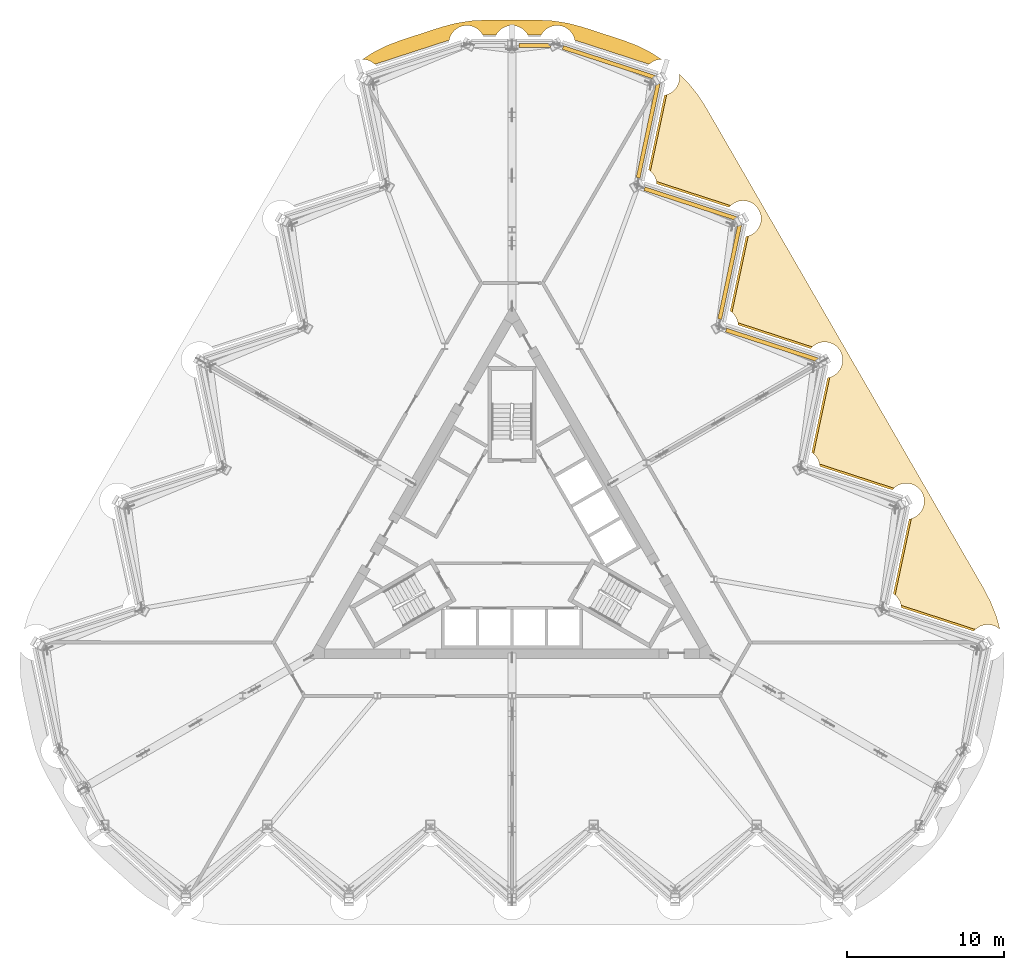
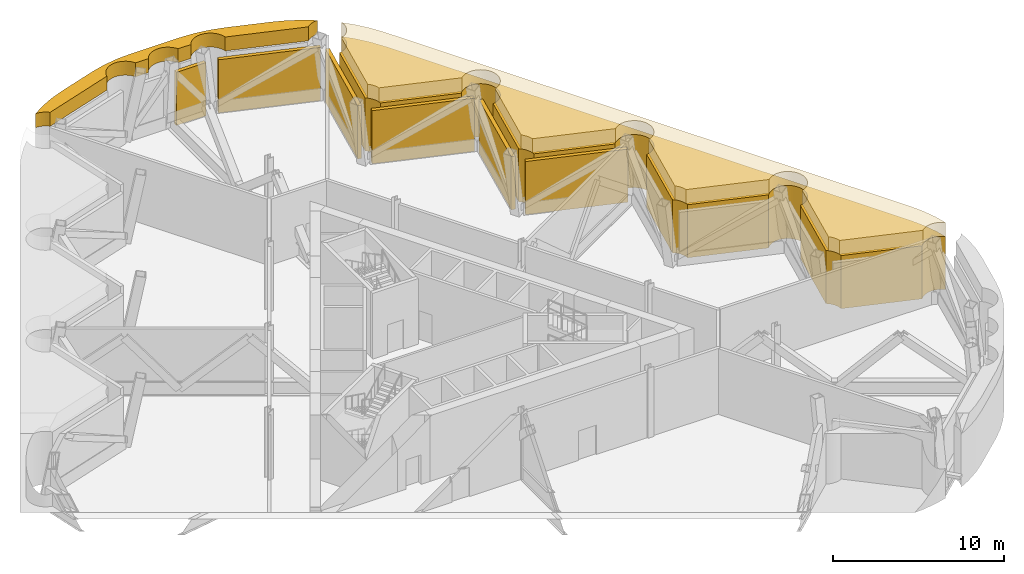
# One storey, part 16 of 16: 6 shading devices, 3 coverings.
"""IFC4 building model written with IfcOpenShell, lengths in metres."""

from ifc_helpers import new_model, si_unit, direction, frame, origin, origin_2d, place, context, subcontext, project, spatial, polyline, rectangle, outline, extrude, material, layer, layer_set, type_object, element, save


model = new_model("IFC4")

# Units and contexts
model_context = context("Model", 3, precision=1e-05, world=origin(), true_north=direction((0.0, 1.0)))
body_context = subcontext(model_context, "Body", "Model", "MODEL_VIEW")
ifc_project = project(units=[si_unit("LENGTHUNIT", "METRE"), si_unit("AREAUNIT", "SQUARE_METRE"), si_unit("VOLUMEUNIT", "CUBIC_METRE"), si_unit("PLANEANGLEUNIT", "RADIAN"), si_unit("MASSUNIT", "GRAM", prefix="KILO")], contexts=[model_context])

# Site, building, storey
site_placement = place(None, origin())
site = spatial("IfcSite", under=ifc_project, at=site_placement, CompositionType="ELEMENT")
building_placement = place(site_placement, origin())
building = spatial("IfcBuilding", under=site, at=building_placement, Name="Cormorant Prow Tower", CompositionType="ELEMENT")
storey_placement = place(building_placement, frame((0.0, 0.0, 356.0)))
storey = spatial("IfcBuildingStorey", under=building, at=storey_placement, Name="L79", CompositionType="ELEMENT", Elevation=356.0)

# Coverings
ifc_material_1 = material(Name="Terracotta", Category="masonry")
ifc_layer_1 = layer(ifc_material_1, 0.449951171875)
ifc_layer_set_1 = layer_set([ifc_layer_1], Name="Terracotta")
covering_type = type_object("IfcCoveringType", Name="Arcade fascia cladding 450", PredefinedType="CLADDING", material=ifc_layer_set_1)
covering_1_placement = place(storey_placement, origin())
element("IfcCovering", 1, at=covering_1_placement, inside=storey, type_object=covering_type, Name="Fascia band L79 part 3", PredefinedType="CLADDING", context=body_context, shape_type="SweptSolid", body=[
    extrude(outline(polyline([(11.24560546875, 29.151611328125), (11.7724609375, 28.5009765625), (11.86474609375, 28.373779296875), (12.32080078125, 27.671630859375), (12.36181640625, 27.604736328125), (21.224609375, 12.25390625), (30.08740234375, -3.0966796875), (30.124755859375, -3.16552734375), (30.5048828125, -3.91162109375), (30.56884765625, -4.05517578125), (30.868896484375, -4.8369140625), (30.91748046875, -4.986083984375), (31.09716796875, -5.65673828125), (31.05322265625, -5.6171875), (30.962646484375, -5.5498046875), (30.865966796875, -5.491943359375), (30.763916015625, -5.443603515625), (30.65771484375, -5.405517578125), (30.548095703125, -5.378173828125), (30.4365234375, -5.361572265625), (30.32373046875, -5.356201171875), (30.2109375, -5.361572265625), (30.099365234375, -5.378173828125), (29.989990234375, -5.405517578125), (29.8837890625, -5.443603515625), (29.781494140625, -5.491943359375), (29.684814453125, -5.5498046875), (29.59423828125, -5.6171875), (29.510498046875, -5.69287109375), (29.434814453125, -5.776611328125), (29.433837890625, -5.77783203125), (24.81689453125, -4.27783203125), (24.814697265625, -4.2314453125), (24.798095703125, -4.119873046875), (24.7705078125, -4.010498046875), (24.732666015625, -3.904052734375), (24.684326171875, -3.802001953125), (24.626220703125, -3.705322265625), (24.55908203125, -3.614501953125), (24.4833984375, -3.531005859375), (24.399658203125, -3.455078125), (24.30908203125, -3.387939453125), (24.30126953125, -3.38330078125), (25.310546875, 1.365478515625), (25.34912109375, 1.37109375), (25.45849609375, 1.3984375), (25.564697265625, 1.4365234375), (25.666748046875, 1.48486328125), (25.763671875, 1.542724609375), (25.854248046875, 1.610107421875), (25.937744140625, 1.685791015625), (26.013671875, 1.769287109375), (26.080810546875, 1.860107421875), (26.138916015625, 1.956787109375), (26.18701171875, 2.058837890625), (26.22509765625, 2.165283203125), (26.252685546875, 2.274658203125), (26.26904296875, 2.38623046875), (26.274658203125, 2.4990234375), (26.26904296875, 2.61181640625), (26.252685546875, 2.723388671875), (26.22509765625, 2.832763671875), (26.18701171875, 2.939208984375), (26.138916015625, 3.041015625), (26.080810546875, 3.137939453125), (26.013671875, 3.228515625), (25.937744140625, 3.312255859375), (25.854248046875, 3.387939453125), (25.763671875, 3.455078125), (25.666748046875, 3.51318359375), (25.564697265625, 3.561279296875), (25.45849609375, 3.599609375), (25.34912109375, 3.626953125), (25.2373046875, 3.643310546875), (25.124755859375, 3.64892578125), (25.011962890625, 3.643310546875), (24.900390625, 3.626953125), (24.790771484375, 3.599609375), (24.6845703125, 3.561279296875), (24.58251953125, 3.51318359375), (24.48583984375, 3.455078125), (24.39501953125, 3.387939453125), (24.3115234375, 3.312255859375), (24.235595703125, 3.228515625), (24.234619140625, 3.22705078125), (19.617919921875, 4.727294921875), (19.615478515625, 4.773681640625), (19.598876953125, 4.88525390625), (19.571533203125, 4.99462890625), (19.533447265625, 5.10107421875), (19.485107421875, 5.202880859375), (19.42724609375, 5.2998046875), (19.360107421875, 5.390380859375), (19.2841796875, 5.47412109375), (19.20068359375, 5.5498046875), (19.10986328125, 5.6171875), (19.10205078125, 5.621826171875), (20.111572265625, 10.370361328125), (20.14990234375, 10.376220703125), (20.259521484375, 10.403564453125), (20.36572265625, 10.441650390625), (20.4677734375, 10.48974609375), (20.564453125, 10.5478515625), (20.655029296875, 10.614990234375), (20.73876953125, 10.69091796875), (20.814697265625, 10.7744140625), (20.8818359375, 10.864990234375), (20.939697265625, 10.9619140625), (20.988037109375, 11.06396484375), (21.026123046875, 11.170166015625), (21.053466796875, 11.27978515625), (21.070068359375, 11.391357421875), (21.07568359375, 11.50390625), (21.070068359375, 11.61669921875), (21.053466796875, 11.728515625), (21.026123046875, 11.837890625), (20.988037109375, 11.944091796875), (20.939697265625, 12.046142578125), (20.8818359375, 12.14306640625), (20.814697265625, 12.233642578125), (20.73876953125, 12.317138671875), (20.655029296875, 12.39306640625), (20.564453125, 12.460205078125), (20.4677734375, 12.518310546875), (20.36572265625, 12.56640625), (20.259521484375, 12.6044921875), (20.14990234375, 12.632080078125), (20.038330078125, 12.6484375), (19.925537109375, 12.654052734375), (19.81298828125, 12.6484375), (19.701171875, 12.632080078125), (19.591796875, 12.6044921875), (19.485595703125, 12.56640625), (19.383544921875, 12.518310546875), (19.28662109375, 12.460205078125), (19.196044921875, 12.39306640625), (19.1123046875, 12.317138671875), (19.03662109375, 12.233642578125), (19.03564453125, 12.232177734375), (14.418701171875, 13.732421875), (14.41650390625, 13.77880859375), (14.39990234375, 13.890380859375), (14.372314453125, 13.999755859375), (14.33447265625, 14.10595703125), (14.2861328125, 14.2080078125), (14.22802734375, 14.304931640625), (14.160888671875, 14.3955078125), (14.085205078125, 14.47900390625), (14.00146484375, 14.554931640625), (13.910888671875, 14.6220703125), (13.903076171875, 14.626708984375), (14.912353515625, 19.37548828125), (14.950927734375, 19.381103515625), (15.060302734375, 19.40869140625), (15.16650390625, 19.44677734375), (15.2685546875, 19.494873046875), (15.365478515625, 19.552978515625), (15.4560546875, 19.6201171875), (15.539794921875, 19.69580078125), (15.615478515625, 19.779541015625), (15.6826171875, 19.8701171875), (15.74072265625, 19.967041015625), (15.7890625, 20.069091796875), (15.826904296875, 20.17529296875), (15.8544921875, 20.284912109375), (15.87109375, 20.396484375), (15.87646484375, 20.509033203125), (15.87109375, 20.621826171875), (15.8544921875, 20.7333984375), (15.826904296875, 20.843017578125), (15.7890625, 20.94921875), (15.74072265625, 21.05126953125), (15.6826171875, 21.14794921875), (15.615478515625, 21.23876953125), (15.539794921875, 21.322265625), (15.4560546875, 21.398193359375), (15.365478515625, 21.46533203125), (15.2685546875, 21.523193359375), (15.16650390625, 21.571533203125), (15.060302734375, 21.609619140625), (14.950927734375, 21.636962890625), (14.839111328125, 21.653564453125), (14.7265625, 21.6591796875), (14.61376953125, 21.653564453125), (14.502197265625, 21.636962890625), (14.392578125, 21.609619140625), (14.286376953125, 21.571533203125), (14.184326171875, 21.523193359375), (14.087646484375, 21.46533203125), (13.9970703125, 21.398193359375), (13.913330078125, 21.322265625), (13.837646484375, 21.23876953125), (13.83642578125, 21.2373046875), (9.219482421875, 22.7373046875), (9.21728515625, 22.78369140625), (9.20068359375, 22.8955078125), (9.17333984375, 23.0048828125), (9.13525390625, 23.111083984375), (9.087158203125, 23.213134765625), (9.029052734375, 23.309814453125), (8.9619140625, 23.400634765625), (8.885986328125, 23.484130859375), (8.802490234375, 23.56005859375), (8.7119140625, 23.627197265625), (8.703857421875, 23.6318359375), (9.71337890625, 28.380615234375), (9.751708984375, 28.38623046875), (9.861328125, 28.413818359375), (9.967529296875, 28.45166015625), (10.069580078125, 28.5), (10.166259765625, 28.55810546875), (10.257080078125, 28.625244140625), (10.340576171875, 28.700927734375), (10.41650390625, 28.78466796875), (10.483642578125, 28.875244140625), (10.54150390625, 28.97216796875), (10.58984375, 29.07421875), (10.6279296875, 29.180419921875), (10.6552734375, 29.289794921875), (10.671875, 29.401611328125), (10.677490234375, 29.51416015625), (10.671875, 29.626953125), (10.6552734375, 29.738525390625), (10.650390625, 29.758544921875), (11.140380859375, 29.268310546875), (11.24560546875, 29.151611328125)])), origin(), (0.0, 0.0, 1.0), 3.800048828125),
])
covering_2_placement = place(storey_placement, frame((0.0, 0.0, 3.800048828125)))
element("IfcCovering", 2, at=covering_2_placement, inside=storey, type_object=covering_type, Name="Fascia band L79 head", PredefinedType="CLADDING", context=body_context, shape_type="SweptSolid", body=[
    extrude(outline(polyline([(11.7724609375, 28.5009765625), (11.86474609375, 28.373779296875), (12.32080078125, 27.671630859375), (12.36181640625, 27.604736328125), (21.224609375, 12.25390625), (30.08740234375, -3.0966796875), (30.124755859375, -3.16552734375), (30.5048828125, -3.91162109375), (30.56884765625, -4.05517578125), (30.868896484375, -4.8369140625), (30.91748046875, -4.986083984375), (31.09716796875, -5.65673828125), (31.05322265625, -5.6171875), (30.962646484375, -5.5498046875), (30.865966796875, -5.491943359375), (30.763916015625, -5.443603515625), (30.65771484375, -5.405517578125), (30.548095703125, -5.378173828125), (30.4365234375, -5.361572265625), (30.32373046875, -5.356201171875), (30.2109375, -5.361572265625), (30.099365234375, -5.378173828125), (29.989990234375, -5.405517578125), (29.8837890625, -5.443603515625), (29.781494140625, -5.491943359375), (29.684814453125, -5.5498046875), (29.59423828125, -5.6171875), (29.537353515625, -5.668701171875), (24.79931640625, -4.129150390625), (24.798095703125, -4.119873046875), (24.7705078125, -4.010498046875), (24.732666015625, -3.904052734375), (24.684326171875, -3.802001953125), (24.626220703125, -3.705322265625), (24.55908203125, -3.614501953125), (24.4833984375, -3.531005859375), (24.4208984375, -3.474365234375), (25.45654296875, 1.39794921875), (25.45849609375, 1.3984375), (25.564697265625, 1.4365234375), (25.666748046875, 1.48486328125), (25.763671875, 1.542724609375), (25.854248046875, 1.610107421875), (25.937744140625, 1.685791015625), (26.013671875, 1.769287109375), (26.080810546875, 1.860107421875), (26.138916015625, 1.956787109375), (26.18701171875, 2.058837890625), (26.22509765625, 2.165283203125), (26.252685546875, 2.274658203125), (26.26904296875, 2.38623046875), (26.274658203125, 2.4990234375), (26.26904296875, 2.61181640625), (26.252685546875, 2.723388671875), (26.22509765625, 2.832763671875), (26.18701171875, 2.939208984375), (26.138916015625, 3.041015625), (26.080810546875, 3.137939453125), (26.013671875, 3.228515625), (25.937744140625, 3.312255859375), (25.854248046875, 3.387939453125), (25.763671875, 3.455078125), (25.666748046875, 3.51318359375), (25.564697265625, 3.561279296875), (25.45849609375, 3.599609375), (25.34912109375, 3.626953125), (25.2373046875, 3.643310546875), (25.124755859375, 3.64892578125), (25.011962890625, 3.643310546875), (24.900390625, 3.626953125), (24.790771484375, 3.599609375), (24.6845703125, 3.561279296875), (24.58251953125, 3.51318359375), (24.48583984375, 3.455078125), (24.39501953125, 3.387939453125), (24.33837890625, 3.33642578125), (19.600341796875, 4.8759765625), (19.598876953125, 4.88525390625), (19.571533203125, 4.99462890625), (19.533447265625, 5.10107421875), (19.485107421875, 5.202880859375), (19.42724609375, 5.2998046875), (19.360107421875, 5.390380859375), (19.2841796875, 5.47412109375), (19.2216796875, 5.530517578125), (20.25732421875, 10.403076171875), (20.259521484375, 10.403564453125), (20.36572265625, 10.441650390625), (20.4677734375, 10.48974609375), (20.564453125, 10.5478515625), (20.655029296875, 10.614990234375), (20.73876953125, 10.69091796875), (20.814697265625, 10.7744140625), (20.8818359375, 10.864990234375), (20.939697265625, 10.9619140625), (20.988037109375, 11.06396484375), (21.026123046875, 11.170166015625), (21.053466796875, 11.27978515625), (21.070068359375, 11.391357421875), (21.07568359375, 11.50390625), (21.070068359375, 11.61669921875), (21.053466796875, 11.728515625), (21.026123046875, 11.837890625), (20.988037109375, 11.944091796875), (20.939697265625, 12.046142578125), (20.8818359375, 12.14306640625), (20.814697265625, 12.233642578125), (20.73876953125, 12.317138671875), (20.655029296875, 12.39306640625), (20.564453125, 12.460205078125), (20.4677734375, 12.518310546875), (20.36572265625, 12.56640625), (20.259521484375, 12.6044921875), (20.14990234375, 12.632080078125), (20.038330078125, 12.6484375), (19.925537109375, 12.654052734375), (19.81298828125, 12.6484375), (19.701171875, 12.632080078125), (19.591796875, 12.6044921875), (19.485595703125, 12.56640625), (19.383544921875, 12.518310546875), (19.28662109375, 12.460205078125), (19.196044921875, 12.39306640625), (19.13916015625, 12.341552734375), (14.401123046875, 13.881103515625), (14.39990234375, 13.890380859375), (14.372314453125, 13.999755859375), (14.33447265625, 14.10595703125), (14.2861328125, 14.2080078125), (14.22802734375, 14.304931640625), (14.160888671875, 14.3955078125), (14.085205078125, 14.47900390625), (14.022705078125, 14.53564453125), (15.058349609375, 19.408203125), (15.060302734375, 19.40869140625), (15.16650390625, 19.44677734375), (15.2685546875, 19.494873046875), (15.365478515625, 19.552978515625), (15.4560546875, 19.6201171875), (15.539794921875, 19.69580078125), (15.615478515625, 19.779541015625), (15.6826171875, 19.8701171875), (15.74072265625, 19.967041015625), (15.7890625, 20.069091796875), (15.826904296875, 20.17529296875), (15.8544921875, 20.284912109375), (15.87109375, 20.396484375), (15.87646484375, 20.509033203125), (15.87109375, 20.621826171875), (15.8544921875, 20.7333984375), (15.826904296875, 20.843017578125), (15.7890625, 20.94921875), (15.74072265625, 21.05126953125), (15.6826171875, 21.14794921875), (15.615478515625, 21.23876953125), (15.539794921875, 21.322265625), (15.4560546875, 21.398193359375), (15.365478515625, 21.46533203125), (15.2685546875, 21.523193359375), (15.16650390625, 21.571533203125), (15.060302734375, 21.609619140625), (14.950927734375, 21.636962890625), (14.839111328125, 21.653564453125), (14.7265625, 21.6591796875), (14.61376953125, 21.653564453125), (14.502197265625, 21.636962890625), (14.392578125, 21.609619140625), (14.286376953125, 21.571533203125), (14.184326171875, 21.523193359375), (14.087646484375, 21.46533203125), (13.9970703125, 21.398193359375), (13.940185546875, 21.3466796875), (9.2021484375, 22.885986328125), (9.20068359375, 22.8955078125), (9.17333984375, 23.0048828125), (9.13525390625, 23.111083984375), (9.087158203125, 23.213134765625), (9.029052734375, 23.309814453125), (8.9619140625, 23.400634765625), (8.885986328125, 23.484130859375), (8.823486328125, 23.540771484375), (9.859375, 28.4130859375), (9.861328125, 28.413818359375), (9.967529296875, 28.45166015625), (10.069580078125, 28.5), (10.166259765625, 28.55810546875), (10.257080078125, 28.625244140625), (10.340576171875, 28.700927734375), (10.41650390625, 28.78466796875), (10.483642578125, 28.875244140625), (10.54150390625, 28.97216796875), (10.58984375, 29.07421875), (10.6279296875, 29.180419921875), (10.6552734375, 29.289794921875), (10.671875, 29.401611328125), (10.677490234375, 29.51416015625), (10.671875, 29.626953125), (10.6552734375, 29.738525390625), (10.650390625, 29.758544921875), (11.140380859375, 29.268310546875), (11.24560546875, 29.151611328125), (11.7724609375, 28.5009765625)])), origin(), (0.0, 0.0, 1.0), 1.0),
])
covering_3_placement = place(storey_placement, frame((0.0, 0.0, 3.800048828125)))
element("IfcCovering", 3, at=covering_3_placement, inside=storey, type_object=covering_type, Name="Fascia band L79 head part 4", PredefinedType="CLADDING", context=body_context, shape_type="SweptSolid", body=[
    extrude(outline(polyline([(-8.069580078125, 31.49951171875), (-7.926025390625, 31.5634765625), (-7.144287109375, 31.863525390625), (-7.0703125, 31.8896484375), (-4.54248046875, 32.711181640625), (-4.467041015625, 32.7333984375), (-3.658203125, 32.9501953125), (-3.504638671875, 32.98291015625), (-2.677490234375, 33.11376953125), (-2.521484375, 33.130126953125), (-1.685302734375, 33.174072265625), (-1.606689453125, 33.176025390625), (1.606689453125, 33.176025390625), (1.685302734375, 33.174072265625), (2.521484375, 33.130126953125), (2.677490234375, 33.11376953125), (3.504638671875, 32.98291015625), (3.658203125, 32.9501953125), (4.467041015625, 32.7333984375), (4.54248046875, 32.711181640625), (7.0703125, 31.8896484375), (7.144287109375, 31.863525390625), (7.926025390625, 31.5634765625), (8.069580078125, 31.49951171875), (8.815673828125, 31.119384765625), (8.95166015625, 31.041015625), (9.531982421875, 30.6640625), (9.52734375, 30.664306640625), (9.414794921875, 30.65869140625), (9.302978515625, 30.64208984375), (9.193603515625, 30.61474609375), (9.08740234375, 30.57666015625), (8.9853515625, 30.5283203125), (8.888427734375, 30.470458984375), (8.7978515625, 30.403076171875), (8.7412109375, 30.351806640625), (4.003173828125, 31.89111328125), (4.001708984375, 31.900390625), (3.974365234375, 32.010009765625), (3.936279296875, 32.1162109375), (3.887939453125, 32.21826171875), (3.830078125, 32.31494140625), (3.7626953125, 32.405517578125), (3.68701171875, 32.4892578125), (3.603515625, 32.56494140625), (3.5126953125, 32.63232421875), (3.416015625, 32.690185546875), (3.31396484375, 32.738525390625), (3.20751953125, 32.776611328125), (3.09814453125, 32.803955078125), (2.986572265625, 32.820556640625), (2.873779296875, 32.826171875), (2.760986328125, 32.820556640625), (2.6494140625, 32.803955078125), (2.5400390625, 32.776611328125), (2.43359375, 32.738525390625), (2.331787109375, 32.690185546875), (2.23486328125, 32.63232421875), (2.144287109375, 32.56494140625), (2.060546875, 32.4892578125), (1.98486328125, 32.405517578125), (1.91748046875, 32.31494140625), (1.866455078125, 32.2294921875), (1.00732421875, 32.2294921875), (0.956298828125, 32.31494140625), (0.888916015625, 32.405517578125), (0.813232421875, 32.4892578125), (0.7294921875, 32.56494140625), (0.638916015625, 32.63232421875), (0.5419921875, 32.690185546875), (0.440185546875, 32.738525390625), (0.333740234375, 32.776611328125), (0.224365234375, 32.803955078125), (0.11279296875, 32.820556640625), (0.0, 32.826171875), (-0.11279296875, 32.820556640625), (-0.224365234375, 32.803955078125), (-0.333740234375, 32.776611328125), (-0.440185546875, 32.738525390625), (-0.5419921875, 32.690185546875), (-0.638916015625, 32.63232421875), (-0.7294921875, 32.56494140625), (-0.813232421875, 32.4892578125), (-0.888916015625, 32.405517578125), (-0.956298828125, 32.31494140625), (-1.00732421875, 32.2294921875), (-1.866455078125, 32.2294921875), (-1.91748046875, 32.31494140625), (-1.98486328125, 32.405517578125), (-2.060546875, 32.4892578125), (-2.144287109375, 32.56494140625), (-2.23486328125, 32.63232421875), (-2.331787109375, 32.690185546875), (-2.43359375, 32.738525390625), (-2.5400390625, 32.776611328125), (-2.6494140625, 32.803955078125), (-2.760986328125, 32.820556640625), (-2.873779296875, 32.826171875), (-2.986572265625, 32.820556640625), (-3.09814453125, 32.803955078125), (-3.20751953125, 32.776611328125), (-3.31396484375, 32.738525390625), (-3.416015625, 32.690185546875), (-3.5126953125, 32.63232421875), (-3.603515625, 32.56494140625), (-3.68701171875, 32.4892578125), (-3.7626953125, 32.405517578125), (-3.830078125, 32.31494140625), (-3.887939453125, 32.21826171875), (-3.936279296875, 32.1162109375), (-3.974365234375, 32.010009765625), (-4.001708984375, 31.900390625), (-4.003173828125, 31.89111328125), (-8.7412109375, 30.351806640625), (-8.7978515625, 30.403076171875), (-8.888427734375, 30.470458984375), (-8.9853515625, 30.5283203125), (-9.08740234375, 30.57666015625), (-9.193603515625, 30.61474609375), (-9.302978515625, 30.64208984375), (-9.414794921875, 30.65869140625), (-9.52734375, 30.664306640625), (-9.531982421875, 30.6640625), (-8.95166015625, 31.041015625), (-8.815673828125, 31.119384765625), (-8.069580078125, 31.49951171875)])), origin(), (0.0, 0.0, 1.0), 1.0),
])

# Shading devices
ifc_material_2 = material(Name="Aluminium 6063-T6", Category="aluminium")
ifc_layer_2 = layer(ifc_material_2, 0.25)
ifc_layer_set_2 = layer_set([ifc_layer_2], Name="Aluminium 6063-T6")
shading_device_type_1 = type_object("IfcShadingDeviceType", Name="Plant storey louvre panel 2006x250x3800", PredefinedType="USERDEFINED", material=ifc_layer_set_2)
shading_device_placement = place(storey_placement, frame((1.43701171875, 31.551025390625, 0.0), z_axis=(0.0, 0.0, 1.0), x_axis=(-1.0, 0.0, 0.0)))
element("IfcShadingDevice", 4, at=shading_device_placement, inside=storey, type_object=shading_device_type_1, Name="Plant storey louvre N00", ObjectType="LOUVRE", PredefinedType="USERDEFINED", context=body_context, shape_type="SweptSolid", body=[
    extrude(rectangle(XDim=2.005859375, YDim=0.25, at=origin_2d()), origin(), (0.0, 0.0, 1.0), 3.800048828125),
])
ifc_material_3 = material(Name="Aluminium 6063-T6", Category="aluminium")
ifc_layer_3 = layer(ifc_material_3, 0.25)
ifc_layer_set_3 = layer_set([ifc_layer_3], Name="Aluminium 6063-T6")
shading_device_type_2 = type_object("IfcShadingDeviceType", Name="Plant storey louvre panel 6128x250x3800", PredefinedType="USERDEFINED", material=ifc_layer_set_3)
for number, where, z_axis, x_axis, name in (
    (5, (16.56005859375, 12.466064453125, 0.0), (0.0, 0.0, 1.0), (-0.951056517881, 0.309016989495, 0.0), "Plant storey louvre ENE05"),
    (6, (13.876953125, 17.113525390625, 0.0), (0.0, 0.0, 1.0), (0.20791165512, 0.978147608322, 0.0), "Plant storey louvre ENE06"),
    (7, (11.361083984375, 21.47119140625, 0.0), (0.0, 0.0, 1.0), (-0.951056517881, 0.309016989495, 0.0), "Plant storey louvre ENE07"),
    (8, (8.677978515625, 26.11865234375, 0.0), (0.0, 0.0, 1.0), (0.207911626047, 0.978147614501, 0.0), "Plant storey louvre ENE08"),
    (9, (6.162109375, 30.476318359375, 0.0), (0.0, 0.0, 1.0), (-0.951056504236, 0.30901703149, 0.0), "Plant storey louvre ENE09"),
):
    element("IfcShadingDevice", number, at=place(storey_placement, frame(where, z_axis=z_axis, x_axis=x_axis)), inside=storey, type_object=shading_device_type_2, Name=name, ObjectType="LOUVRE", PredefinedType="USERDEFINED", context=body_context, shape_type="SweptSolid", body=[
        extrude(rectangle(XDim=6.1279296875, YDim=0.25, at=origin_2d()), origin(), (0.0, 0.0, 1.0), 3.800048828125),
    ])

save(model, "model.ifc")
